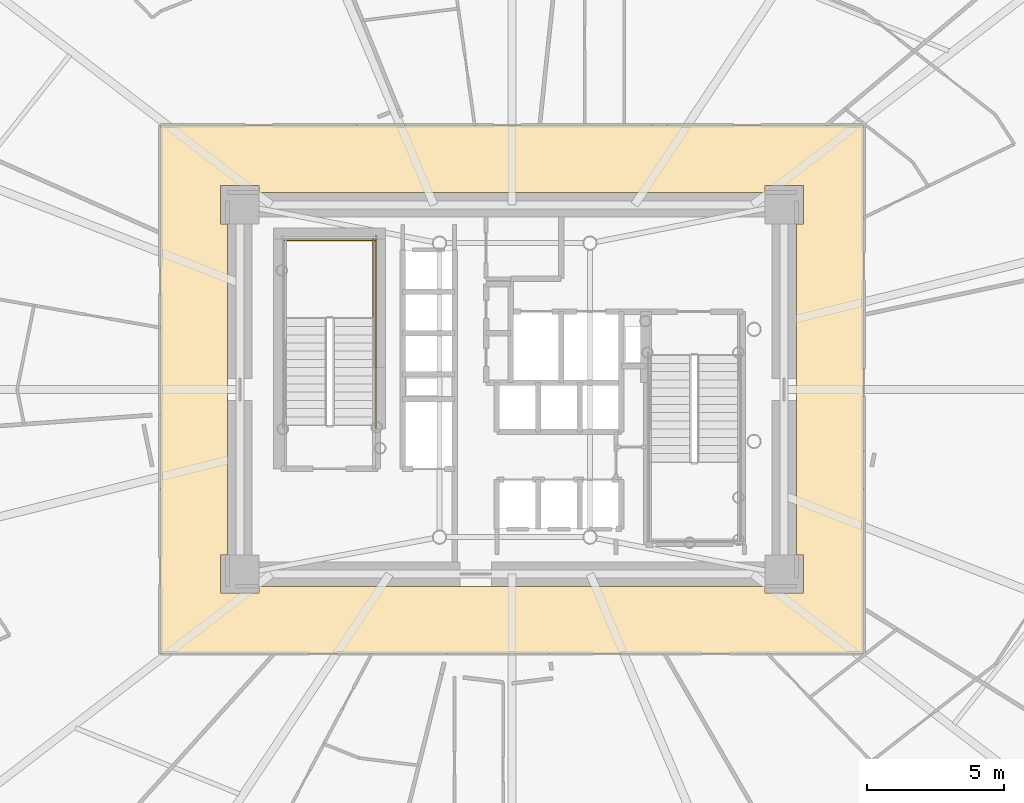
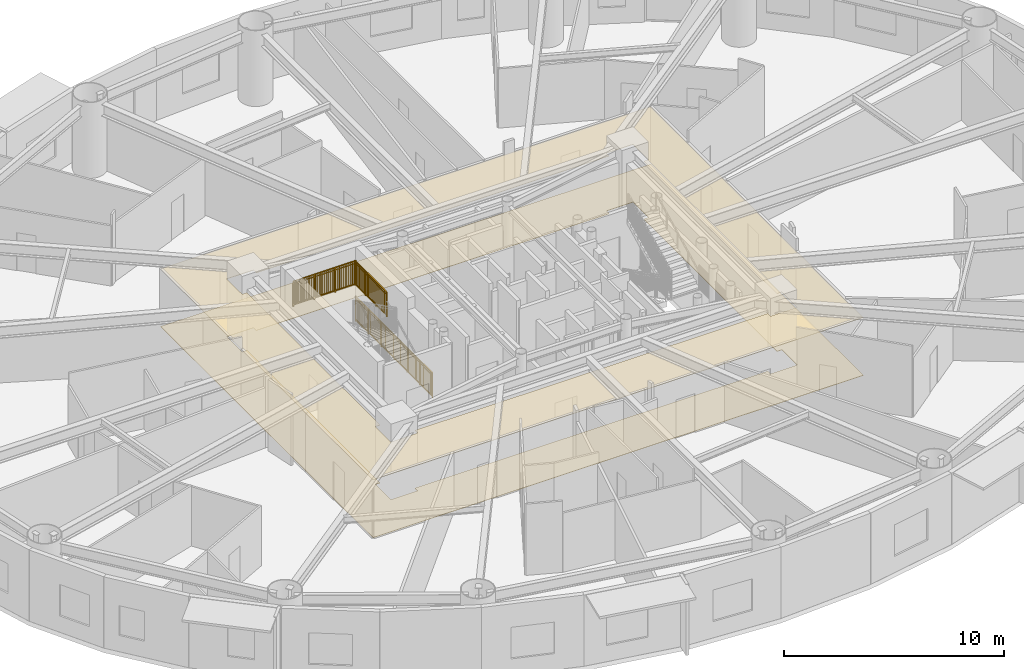
# One storey, part 16 of 20: 3 railings, 2 coverings.
"""IFC4 building model written with IfcOpenShell, lengths in metres."""

from ifc_helpers import new_model, si_unit, direction, frame, origin, origin_2d, place, context, subcontext, project, spatial, polyline, rectangle, outline, extrude, source, transform, mapped, material, layer, layer_set, type_object, element, save


model = new_model("IFC4")

# Units and contexts
model_context = context("Model", 3, precision=1e-05, world=origin(), true_north=direction((0.0, 1.0)))
body_context = subcontext(model_context, "Body", "Model", "MODEL_VIEW")
ifc_project = project(units=[si_unit("LENGTHUNIT", "METRE"), si_unit("AREAUNIT", "SQUARE_METRE"), si_unit("VOLUMEUNIT", "CUBIC_METRE"), si_unit("PLANEANGLEUNIT", "RADIAN"), si_unit("MASSUNIT", "GRAM", prefix="KILO")], contexts=[model_context])

# Site, building, storey
site_placement = place(None, origin())
site = spatial("IfcSite", under=ifc_project, at=site_placement, CompositionType="ELEMENT")
building_placement = place(site_placement, origin())
building = spatial("IfcBuilding", under=site, at=building_placement, Name="Linh Dai School and Residence Tower", CompositionType="ELEMENT")
storey_placement = place(building_placement, frame((0.0, 0.0, 66.0)))
storey = spatial("IfcBuildingStorey", under=building, at=storey_placement, Name="L15", CompositionType="ELEMENT", Elevation=66.0)

# Coverings
ifc_material_1 = material(Name="Mineral Fibre Acoustic Suspended Ceiling", Category="masonry")
ifc_layer_1 = layer(ifc_material_1, 0.02001953125)
ifc_layer_set_1 = layer_set([ifc_layer_1], Name="Mineral Fibre Acoustic Suspended Ceiling")
covering_type_1 = type_object("IfcCoveringType", Name="COV-CEIL-AC-20", PredefinedType="CEILING", material=ifc_layer_set_1)
covering_1_placement = place(storey_placement, frame((0.0, 0.0, 3.199951171875)))
element("IfcCovering", 1, at=covering_1_placement, inside=storey, type_object=covering_type_1, Name="L15 Residential Floor Corridor Suspended Ceiling", PredefinedType="CEILING", context=body_context, shape_type="SweptSolid", body=[
    extrude(outline(polyline([(48.85009765625, 36.64990234375), (48.85009765625, 17.35009765625), (23.14990234375, 17.35009765625), (23.14990234375, 36.64990234375), (48.85009765625, 36.64990234375)]), holes=[polyline([(26.75, 34.199951171875), (26.75, 34.449951171875), (25.35009765625, 34.449951171875), (25.35009765625, 33.050048828125), (25.60009765625, 33.050048828125), (25.60009765625, 20.949951171875), (25.35009765625, 20.949951171875), (25.35009765625, 19.550048828125), (26.75, 19.550048828125), (26.75, 19.800048828125), (45.25, 19.800048828125), (45.25, 19.550048828125), (46.64990234375, 19.550048828125), (46.64990234375, 20.949951171875), (46.39990234375, 20.949951171875), (46.39990234375, 33.050048828125), (46.64990234375, 33.050048828125), (46.64990234375, 34.449951171875), (45.25, 34.449951171875), (45.25, 34.199951171875), (26.75, 34.199951171875)])]), origin(), (0.0, 0.0, 1.0), 0.02001953125),
])
ifc_material_2 = material(Name="Polished Terrazzo Floor Finish", Category="masonry")
ifc_layer_2 = layer(ifc_material_2, 0.02490234375)
ifc_layer_set_2 = layer_set([ifc_layer_2], Name="Polished Terrazzo Floor Finish")
covering_type_2 = type_object("IfcCoveringType", Name="COV-FLR-TRZ-25", PredefinedType="FLOORING", material=ifc_layer_set_2)
covering_2_placement = place(storey_placement, origin())
element("IfcCovering", 2, at=covering_2_placement, inside=storey, type_object=covering_type_2, Name="L15 Residential Floor Corridor Floor Finish", PredefinedType="FLOORING", context=body_context, shape_type="SweptSolid", body=[
    extrude(outline(polyline([(48.85009765625, 36.64990234375), (48.85009765625, 17.35009765625), (23.14990234375, 17.35009765625), (23.14990234375, 36.64990234375), (48.85009765625, 36.64990234375)]), holes=[polyline([(26.75, 34.199951171875), (26.75, 34.449951171875), (25.35009765625, 34.449951171875), (25.35009765625, 33.050048828125), (25.60009765625, 33.050048828125), (25.60009765625, 20.949951171875), (25.35009765625, 20.949951171875), (25.35009765625, 19.550048828125), (26.75, 19.550048828125), (26.75, 19.800048828125), (45.25, 19.800048828125), (45.25, 19.550048828125), (46.64990234375, 19.550048828125), (46.64990234375, 20.949951171875), (46.39990234375, 20.949951171875), (46.39990234375, 33.050048828125), (46.64990234375, 33.050048828125), (46.64990234375, 34.449951171875), (45.25, 34.449951171875), (45.25, 34.199951171875), (26.75, 34.199951171875)])]), origin(), (0.0, 0.0, 1.0), 0.02001953125),
])

# Railings
ifc_material_3 = material(Name="Structural Steel S355JR", Category="steel")
railing_type = type_object("IfcRailingType", Name="RL-ST-GUARD-1400", PredefinedType="GUARDRAIL", material=ifc_material_3)
shared_shape_1 = source(origin(), body_context, "Body", "SweptSolid", [
    extrude(rectangle(XDim=0.048095703125, YDim=0.048095703125, at=origin_2d()), frame((0.0, 0.0, 1.3759765625), z_axis=(-1.0, 0.0, 0.0), x_axis=(0.0, -1.0, 0.0)), (0.0, 0.0, 1.0), 3.300048828125),
    extrude(rectangle(XDim=0.048095703125, YDim=0.048095703125, at=origin_2d()), frame((0.0, 0.0, 0.10009765625), z_axis=(-1.0, 0.0, 0.0), x_axis=(0.0, -1.0, 0.0)), (0.0, 0.0, 1.0), 3.300048828125),
    extrude(rectangle(XDim=0.030029296875, YDim=0.030029296875, at=origin_2d()), frame((0.0, 0.0, 1.239990234375), z_axis=(-1.0, 0.0, 0.0), x_axis=(0.0, -1.0, 0.0)), (0.0, 0.0, 1.0), 3.300048828125),
    extrude(rectangle(XDim=0.02001953125, YDim=0.02001953125, at=origin_2d()), frame((-0.09716796875, 0.0, 0.10009765625)), (0.0, 0.0, 1.0), 1.251708984375),
    extrude(rectangle(XDim=0.02001953125, YDim=0.02001953125, at=origin_2d()), frame((-0.194091796875, 0.0, 0.10009765625)), (0.0, 0.0, 1.0), 1.251708984375),
    extrude(rectangle(XDim=0.02001953125, YDim=0.02001953125, at=origin_2d()), frame((-0.291259765625, 0.0, 0.10009765625)), (0.0, 0.0, 1.0), 1.251708984375),
    extrude(rectangle(XDim=0.02001953125, YDim=0.02001953125, at=origin_2d()), frame((-0.38818359375, 0.0, 0.10009765625)), (0.0, 0.0, 1.0), 1.251708984375),
    extrude(rectangle(XDim=0.02001953125, YDim=0.02001953125, at=origin_2d()), frame((-0.4853515625, 0.0, 0.10009765625)), (0.0, 0.0, 1.0), 1.251708984375),
    extrude(rectangle(XDim=0.02001953125, YDim=0.02001953125, at=origin_2d()), frame((-0.582275390625, 0.0, 0.10009765625)), (0.0, 0.0, 1.0), 1.251708984375),
    extrude(rectangle(XDim=0.02001953125, YDim=0.02001953125, at=origin_2d()), frame((-0.679443359375, 0.0, 0.10009765625)), (0.0, 0.0, 1.0), 1.251708984375),
    extrude(rectangle(XDim=0.02001953125, YDim=0.02001953125, at=origin_2d()), frame((-0.7763671875, 0.0, 0.10009765625)), (0.0, 0.0, 1.0), 1.251708984375),
    extrude(rectangle(XDim=0.02001953125, YDim=0.02001953125, at=origin_2d()), frame((-0.87353515625, 0.0, 0.10009765625)), (0.0, 0.0, 1.0), 1.251708984375),
    extrude(rectangle(XDim=0.02001953125, YDim=0.02001953125, at=origin_2d()), frame((-0.970703125, 0.0, 0.10009765625)), (0.0, 0.0, 1.0), 1.251708984375),
    extrude(rectangle(XDim=0.02001953125, YDim=0.02001953125, at=origin_2d()), frame((-1.164794921875, 0.0, 0.10009765625)), (0.0, 0.0, 1.0), 1.251708984375),
    extrude(rectangle(XDim=0.02001953125, YDim=0.02001953125, at=origin_2d()), frame((-1.26171875, 0.0, 0.10009765625)), (0.0, 0.0, 1.0), 1.251708984375),
    extrude(rectangle(XDim=0.02001953125, YDim=0.02001953125, at=origin_2d()), frame((-1.35888671875, 0.0, 0.10009765625)), (0.0, 0.0, 1.0), 1.251708984375),
    extrude(rectangle(XDim=0.02001953125, YDim=0.02001953125, at=origin_2d()), frame((-1.455810546875, 0.0, 0.10009765625)), (0.0, 0.0, 1.0), 1.251708984375),
    extrude(rectangle(XDim=0.02001953125, YDim=0.02001953125, at=origin_2d()), frame((-1.552978515625, 0.0, 0.10009765625)), (0.0, 0.0, 1.0), 1.251708984375),
    extrude(rectangle(XDim=0.02001953125, YDim=0.02001953125, at=origin_2d()), frame((-1.64990234375, 0.0, 0.10009765625)), (0.0, 0.0, 1.0), 1.251708984375),
    extrude(rectangle(XDim=0.02001953125, YDim=0.02001953125, at=origin_2d()), frame((-1.7470703125, 0.0, 0.10009765625)), (0.0, 0.0, 1.0), 1.251708984375),
    extrude(rectangle(XDim=0.02001953125, YDim=0.02001953125, at=origin_2d()), frame((-1.84423828125, 0.0, 0.10009765625)), (0.0, 0.0, 1.0), 1.251708984375),
    extrude(rectangle(XDim=0.02001953125, YDim=0.02001953125, at=origin_2d()), frame((-1.941162109375, 0.0, 0.10009765625)), (0.0, 0.0, 1.0), 1.251708984375),
    extrude(rectangle(XDim=0.02001953125, YDim=0.02001953125, at=origin_2d()), frame((-2.038330078125, 0.0, 0.10009765625)), (0.0, 0.0, 1.0), 1.251708984375),
    extrude(rectangle(XDim=0.02001953125, YDim=0.02001953125, at=origin_2d()), frame((-2.13525390625, 0.0, 0.10009765625)), (0.0, 0.0, 1.0), 1.251708984375),
    extrude(rectangle(XDim=0.02001953125, YDim=0.02001953125, at=origin_2d()), frame((-2.329345703125, 0.0, 0.10009765625)), (0.0, 0.0, 1.0), 1.251708984375),
    extrude(rectangle(XDim=0.02001953125, YDim=0.02001953125, at=origin_2d()), frame((-2.426513671875, 0.0, 0.10009765625)), (0.0, 0.0, 1.0), 1.251708984375),
    extrude(rectangle(XDim=0.02001953125, YDim=0.02001953125, at=origin_2d()), frame((-2.523681640625, 0.0, 0.10009765625)), (0.0, 0.0, 1.0), 1.251708984375),
    extrude(rectangle(XDim=0.02001953125, YDim=0.02001953125, at=origin_2d()), frame((-2.62060546875, 0.0, 0.10009765625)), (0.0, 0.0, 1.0), 1.251708984375),
    extrude(rectangle(XDim=0.02001953125, YDim=0.02001953125, at=origin_2d()), frame((-2.7177734375, 0.0, 0.10009765625)), (0.0, 0.0, 1.0), 1.251708984375),
    extrude(rectangle(XDim=0.02001953125, YDim=0.02001953125, at=origin_2d()), frame((-2.814697265625, 0.0, 0.10009765625)), (0.0, 0.0, 1.0), 1.251708984375),
    extrude(rectangle(XDim=0.02001953125, YDim=0.02001953125, at=origin_2d()), frame((-2.911865234375, 0.0, 0.10009765625)), (0.0, 0.0, 1.0), 1.251708984375),
    extrude(rectangle(XDim=0.02001953125, YDim=0.02001953125, at=origin_2d()), frame((-3.0087890625, 0.0, 0.10009765625)), (0.0, 0.0, 1.0), 1.251708984375),
    extrude(rectangle(XDim=0.02001953125, YDim=0.02001953125, at=origin_2d()), frame((-3.10595703125, 0.0, 0.10009765625)), (0.0, 0.0, 1.0), 1.251708984375),
    extrude(rectangle(XDim=0.02001953125, YDim=0.02001953125, at=origin_2d()), frame((-3.202880859375, 0.0, 0.10009765625)), (0.0, 0.0, 1.0), 1.251708984375),
    extrude(rectangle(XDim=0.0419921875, YDim=0.0419921875, at=origin_2d()), origin(), (0.0, 0.0, 1.0), 1.3759765625),
    extrude(rectangle(XDim=0.0419921875, YDim=0.0419921875, at=origin_2d()), frame((-1.10009765625, 0.0, 0.0)), (0.0, 0.0, 1.0), 1.3759765625),
    extrude(rectangle(XDim=0.0419921875, YDim=0.0419921875, at=origin_2d()), frame((-2.199951171875, 0.0, 0.0)), (0.0, 0.0, 1.0), 1.3759765625),
    extrude(rectangle(XDim=0.0419921875, YDim=0.0419921875, at=origin_2d()), frame((-3.300048828125, 0.0, 0.0)), (0.0, 0.0, 1.0), 1.3759765625),
])
railing_1_placement = place(storey_placement, frame((30.97998046875, 32.449951171875, 2.10009765625)))
element("IfcRailing", 3, at=railing_1_placement, inside=storey, type_object=railing_type, Name="L15 ST1 stair guard 5", PredefinedType="GUARDRAIL", context=body_context, shape_type="MappedRepresentation", body=[
    mapped(shared_shape_1, transform((0.0, 0.0, 0.0), x_axis=(1.0, 0.0, 0.0), y_axis=(0.0, 1.0, 0.0), z_axis=(0.0, 0.0, 1.0), scale=1.0)),
])
shared_shape_2 = source(origin(), body_context, "Body", "SweptSolid", [
    extrude(rectangle(XDim=0.048095703125, YDim=0.048095703125, at=origin_2d()), frame((0.0, 0.0, 1.3759765625), z_axis=(0.0, 1.0, 0.0), x_axis=(-1.0, 0.0, 0.0)), (0.0, 0.0, 1.0), 7.0),
    extrude(rectangle(XDim=0.048095703125, YDim=0.048095703125, at=origin_2d()), frame((0.0, 0.0, 0.10009765625), z_axis=(0.0, 1.0, 0.0), x_axis=(-1.0, 0.0, 0.0)), (0.0, 0.0, 1.0), 7.0),
    extrude(rectangle(XDim=0.030029296875, YDim=0.030029296875, at=origin_2d()), frame((0.0, 0.0, 1.239990234375), z_axis=(0.0, 1.0, 0.0), x_axis=(-1.0, 0.0, 0.0)), (0.0, 0.0, 1.0), 7.0),
    extrude(rectangle(XDim=0.02001953125, YDim=0.02001953125, at=origin_2d()), frame((0.0, 0.09716796875, 0.10009765625)), (0.0, 0.0, 1.0), 1.251708984375),
    extrude(rectangle(XDim=0.02001953125, YDim=0.02001953125, at=origin_2d()), frame((0.0, 0.1943359375, 0.10009765625)), (0.0, 0.0, 1.0), 1.251708984375),
    extrude(rectangle(XDim=0.02001953125, YDim=0.02001953125, at=origin_2d()), frame((0.0, 0.291748046875, 0.10009765625)), (0.0, 0.0, 1.0), 1.251708984375),
    extrude(rectangle(XDim=0.02001953125, YDim=0.02001953125, at=origin_2d()), frame((0.0, 0.388916015625, 0.10009765625)), (0.0, 0.0, 1.0), 1.251708984375),
    extrude(rectangle(XDim=0.02001953125, YDim=0.02001953125, at=origin_2d()), frame((0.0, 0.486083984375, 0.10009765625)), (0.0, 0.0, 1.0), 1.251708984375),
    extrude(rectangle(XDim=0.02001953125, YDim=0.02001953125, at=origin_2d()), frame((0.0, 0.583251953125, 0.10009765625)), (0.0, 0.0, 1.0), 1.251708984375),
    extrude(rectangle(XDim=0.02001953125, YDim=0.02001953125, at=origin_2d()), frame((0.0, 0.6806640625, 0.10009765625)), (0.0, 0.0, 1.0), 1.251708984375),
    extrude(rectangle(XDim=0.02001953125, YDim=0.02001953125, at=origin_2d()), frame((0.0, 0.77783203125, 0.10009765625)), (0.0, 0.0, 1.0), 1.251708984375),
    extrude(rectangle(XDim=0.02001953125, YDim=0.02001953125, at=origin_2d()), frame((0.0, 0.875, 0.10009765625)), (0.0, 0.0, 1.0), 1.251708984375),
    extrude(rectangle(XDim=0.02001953125, YDim=0.02001953125, at=origin_2d()), frame((0.0, 0.97216796875, 0.10009765625)), (0.0, 0.0, 1.0), 1.251708984375),
    extrude(rectangle(XDim=0.02001953125, YDim=0.02001953125, at=origin_2d()), frame((0.0, 1.0693359375, 0.10009765625)), (0.0, 0.0, 1.0), 1.251708984375),
    extrude(rectangle(XDim=0.02001953125, YDim=0.02001953125, at=origin_2d()), frame((0.0, 1.263916015625, 0.10009765625)), (0.0, 0.0, 1.0), 1.251708984375),
    extrude(rectangle(XDim=0.02001953125, YDim=0.02001953125, at=origin_2d()), frame((0.0, 1.361083984375, 0.10009765625)), (0.0, 0.0, 1.0), 1.251708984375),
    extrude(rectangle(XDim=0.02001953125, YDim=0.02001953125, at=origin_2d()), frame((0.0, 1.458251953125, 0.10009765625)), (0.0, 0.0, 1.0), 1.251708984375),
    extrude(rectangle(XDim=0.02001953125, YDim=0.02001953125, at=origin_2d()), frame((0.0, 1.5556640625, 0.10009765625)), (0.0, 0.0, 1.0), 1.251708984375),
    extrude(rectangle(XDim=0.02001953125, YDim=0.02001953125, at=origin_2d()), frame((0.0, 1.65283203125, 0.10009765625)), (0.0, 0.0, 1.0), 1.251708984375),
    extrude(rectangle(XDim=0.02001953125, YDim=0.02001953125, at=origin_2d()), frame((0.0, 1.75, 0.10009765625)), (0.0, 0.0, 1.0), 1.251708984375),
    extrude(rectangle(XDim=0.02001953125, YDim=0.02001953125, at=origin_2d()), frame((0.0, 1.84716796875, 0.10009765625)), (0.0, 0.0, 1.0), 1.251708984375),
    extrude(rectangle(XDim=0.02001953125, YDim=0.02001953125, at=origin_2d()), frame((0.0, 1.9443359375, 0.10009765625)), (0.0, 0.0, 1.0), 1.251708984375),
    extrude(rectangle(XDim=0.02001953125, YDim=0.02001953125, at=origin_2d()), frame((0.0, 2.041748046875, 0.10009765625)), (0.0, 0.0, 1.0), 1.251708984375),
    extrude(rectangle(XDim=0.02001953125, YDim=0.02001953125, at=origin_2d()), frame((0.0, 2.138916015625, 0.10009765625)), (0.0, 0.0, 1.0), 1.251708984375),
    extrude(rectangle(XDim=0.02001953125, YDim=0.02001953125, at=origin_2d()), frame((0.0, 2.236083984375, 0.10009765625)), (0.0, 0.0, 1.0), 1.251708984375),
    extrude(rectangle(XDim=0.02001953125, YDim=0.02001953125, at=origin_2d()), frame((0.0, 2.4306640625, 0.10009765625)), (0.0, 0.0, 1.0), 1.251708984375),
    extrude(rectangle(XDim=0.02001953125, YDim=0.02001953125, at=origin_2d()), frame((0.0, 2.52783203125, 0.10009765625)), (0.0, 0.0, 1.0), 1.251708984375),
    extrude(rectangle(XDim=0.02001953125, YDim=0.02001953125, at=origin_2d()), frame((0.0, 2.625, 0.10009765625)), (0.0, 0.0, 1.0), 1.251708984375),
    extrude(rectangle(XDim=0.02001953125, YDim=0.02001953125, at=origin_2d()), frame((0.0, 2.72216796875, 0.10009765625)), (0.0, 0.0, 1.0), 1.251708984375),
    extrude(rectangle(XDim=0.02001953125, YDim=0.02001953125, at=origin_2d()), frame((0.0, 2.8193359375, 0.10009765625)), (0.0, 0.0, 1.0), 1.251708984375),
    extrude(rectangle(XDim=0.02001953125, YDim=0.02001953125, at=origin_2d()), frame((0.0, 2.916748046875, 0.10009765625)), (0.0, 0.0, 1.0), 1.251708984375),
    extrude(rectangle(XDim=0.02001953125, YDim=0.02001953125, at=origin_2d()), frame((0.0, 3.013916015625, 0.10009765625)), (0.0, 0.0, 1.0), 1.251708984375),
    extrude(rectangle(XDim=0.02001953125, YDim=0.02001953125, at=origin_2d()), frame((0.0, 3.111083984375, 0.10009765625)), (0.0, 0.0, 1.0), 1.251708984375),
    extrude(rectangle(XDim=0.02001953125, YDim=0.02001953125, at=origin_2d()), frame((0.0, 3.208251953125, 0.10009765625)), (0.0, 0.0, 1.0), 1.251708984375),
    extrude(rectangle(XDim=0.02001953125, YDim=0.02001953125, at=origin_2d()), frame((0.0, 3.3056640625, 0.10009765625)), (0.0, 0.0, 1.0), 1.251708984375),
    extrude(rectangle(XDim=0.02001953125, YDim=0.02001953125, at=origin_2d()), frame((0.0, 3.40283203125, 0.10009765625)), (0.0, 0.0, 1.0), 1.251708984375),
    extrude(rectangle(XDim=0.02001953125, YDim=0.02001953125, at=origin_2d()), frame((0.0, 3.59716796875, 0.10009765625)), (0.0, 0.0, 1.0), 1.251708984375),
    extrude(rectangle(XDim=0.02001953125, YDim=0.02001953125, at=origin_2d()), frame((0.0, 3.6943359375, 0.10009765625)), (0.0, 0.0, 1.0), 1.251708984375),
    extrude(rectangle(XDim=0.02001953125, YDim=0.02001953125, at=origin_2d()), frame((0.0, 3.791748046875, 0.10009765625)), (0.0, 0.0, 1.0), 1.251708984375),
    extrude(rectangle(XDim=0.02001953125, YDim=0.02001953125, at=origin_2d()), frame((0.0, 3.888916015625, 0.10009765625)), (0.0, 0.0, 1.0), 1.251708984375),
    extrude(rectangle(XDim=0.02001953125, YDim=0.02001953125, at=origin_2d()), frame((0.0, 3.986083984375, 0.10009765625)), (0.0, 0.0, 1.0), 1.251708984375),
    extrude(rectangle(XDim=0.02001953125, YDim=0.02001953125, at=origin_2d()), frame((0.0, 4.083251953125, 0.10009765625)), (0.0, 0.0, 1.0), 1.251708984375),
    extrude(rectangle(XDim=0.02001953125, YDim=0.02001953125, at=origin_2d()), frame((0.0, 4.1806640625, 0.10009765625)), (0.0, 0.0, 1.0), 1.251708984375),
    extrude(rectangle(XDim=0.02001953125, YDim=0.02001953125, at=origin_2d()), frame((0.0, 4.27783203125, 0.10009765625)), (0.0, 0.0, 1.0), 1.251708984375),
    extrude(rectangle(XDim=0.02001953125, YDim=0.02001953125, at=origin_2d()), frame((0.0, 4.375, 0.10009765625)), (0.0, 0.0, 1.0), 1.251708984375),
    extrude(rectangle(XDim=0.02001953125, YDim=0.02001953125, at=origin_2d()), frame((0.0, 4.47216796875, 0.10009765625)), (0.0, 0.0, 1.0), 1.251708984375),
    extrude(rectangle(XDim=0.02001953125, YDim=0.02001953125, at=origin_2d()), frame((0.0, 4.5693359375, 0.10009765625)), (0.0, 0.0, 1.0), 1.251708984375),
    extrude(rectangle(XDim=0.02001953125, YDim=0.02001953125, at=origin_2d()), frame((0.0, 4.763916015625, 0.10009765625)), (0.0, 0.0, 1.0), 1.251708984375),
    extrude(rectangle(XDim=0.02001953125, YDim=0.02001953125, at=origin_2d()), frame((0.0, 4.861083984375, 0.10009765625)), (0.0, 0.0, 1.0), 1.251708984375),
    extrude(rectangle(XDim=0.02001953125, YDim=0.02001953125, at=origin_2d()), frame((0.0, 4.958251953125, 0.10009765625)), (0.0, 0.0, 1.0), 1.251708984375),
    extrude(rectangle(XDim=0.02001953125, YDim=0.02001953125, at=origin_2d()), frame((0.0, 5.0556640625, 0.10009765625)), (0.0, 0.0, 1.0), 1.251708984375),
    extrude(rectangle(XDim=0.02001953125, YDim=0.02001953125, at=origin_2d()), frame((0.0, 5.15283203125, 0.10009765625)), (0.0, 0.0, 1.0), 1.251708984375),
    extrude(rectangle(XDim=0.02001953125, YDim=0.02001953125, at=origin_2d()), frame((0.0, 5.25, 0.10009765625)), (0.0, 0.0, 1.0), 1.251708984375),
    extrude(rectangle(XDim=0.02001953125, YDim=0.02001953125, at=origin_2d()), frame((0.0, 5.34716796875, 0.10009765625)), (0.0, 0.0, 1.0), 1.251708984375),
    extrude(rectangle(XDim=0.02001953125, YDim=0.02001953125, at=origin_2d()), frame((0.0, 5.4443359375, 0.10009765625)), (0.0, 0.0, 1.0), 1.251708984375),
    extrude(rectangle(XDim=0.02001953125, YDim=0.02001953125, at=origin_2d()), frame((0.0, 5.541748046875, 0.10009765625)), (0.0, 0.0, 1.0), 1.251708984375),
    extrude(rectangle(XDim=0.02001953125, YDim=0.02001953125, at=origin_2d()), frame((0.0, 5.638916015625, 0.10009765625)), (0.0, 0.0, 1.0), 1.251708984375),
    extrude(rectangle(XDim=0.02001953125, YDim=0.02001953125, at=origin_2d()), frame((0.0, 5.736083984375, 0.10009765625)), (0.0, 0.0, 1.0), 1.251708984375),
    extrude(rectangle(XDim=0.02001953125, YDim=0.02001953125, at=origin_2d()), frame((0.0, 5.9306640625, 0.10009765625)), (0.0, 0.0, 1.0), 1.251708984375),
    extrude(rectangle(XDim=0.02001953125, YDim=0.02001953125, at=origin_2d()), frame((0.0, 6.02783203125, 0.10009765625)), (0.0, 0.0, 1.0), 1.251708984375),
    extrude(rectangle(XDim=0.02001953125, YDim=0.02001953125, at=origin_2d()), frame((0.0, 6.125, 0.10009765625)), (0.0, 0.0, 1.0), 1.251708984375),
    extrude(rectangle(XDim=0.02001953125, YDim=0.02001953125, at=origin_2d()), frame((0.0, 6.22216796875, 0.10009765625)), (0.0, 0.0, 1.0), 1.251708984375),
    extrude(rectangle(XDim=0.02001953125, YDim=0.02001953125, at=origin_2d()), frame((0.0, 6.3193359375, 0.10009765625)), (0.0, 0.0, 1.0), 1.251708984375),
    extrude(rectangle(XDim=0.02001953125, YDim=0.02001953125, at=origin_2d()), frame((0.0, 6.416748046875, 0.10009765625)), (0.0, 0.0, 1.0), 1.251708984375),
    extrude(rectangle(XDim=0.02001953125, YDim=0.02001953125, at=origin_2d()), frame((0.0, 6.513916015625, 0.10009765625)), (0.0, 0.0, 1.0), 1.251708984375),
    extrude(rectangle(XDim=0.02001953125, YDim=0.02001953125, at=origin_2d()), frame((0.0, 6.611083984375, 0.10009765625)), (0.0, 0.0, 1.0), 1.251708984375),
    extrude(rectangle(XDim=0.02001953125, YDim=0.02001953125, at=origin_2d()), frame((0.0, 6.708251953125, 0.10009765625)), (0.0, 0.0, 1.0), 1.251708984375),
    extrude(rectangle(XDim=0.02001953125, YDim=0.02001953125, at=origin_2d()), frame((0.0, 6.8056640625, 0.10009765625)), (0.0, 0.0, 1.0), 1.251708984375),
    extrude(rectangle(XDim=0.02001953125, YDim=0.02001953125, at=origin_2d()), frame((0.0, 6.90283203125, 0.10009765625)), (0.0, 0.0, 1.0), 1.251708984375),
    extrude(rectangle(XDim=0.0419921875, YDim=0.0419921875, at=origin_2d()), origin(), (0.0, 0.0, 1.0), 1.3759765625),
    extrude(rectangle(XDim=0.0419921875, YDim=0.0419921875, at=origin_2d()), frame((0.0, 1.166748046875, 0.0)), (0.0, 0.0, 1.0), 1.3759765625),
    extrude(rectangle(XDim=0.0419921875, YDim=0.0419921875, at=origin_2d()), frame((0.0, 2.333251953125, 0.0)), (0.0, 0.0, 1.0), 1.3759765625),
    extrude(rectangle(XDim=0.0419921875, YDim=0.0419921875, at=origin_2d()), frame((0.0, 3.5, 0.0)), (0.0, 0.0, 1.0), 1.3759765625),
    extrude(rectangle(XDim=0.0419921875, YDim=0.0419921875, at=origin_2d()), frame((0.0, 4.666748046875, 0.0)), (0.0, 0.0, 1.0), 1.3759765625),
    extrude(rectangle(XDim=0.0419921875, YDim=0.0419921875, at=origin_2d()), frame((0.0, 5.833251953125, 0.0)), (0.0, 0.0, 1.0), 1.3759765625),
    extrude(rectangle(XDim=0.0419921875, YDim=0.0419921875, at=origin_2d()), frame((0.0, 7.0, 0.0)), (0.0, 0.0, 1.0), 1.3759765625),
])
railing_2_placement = place(storey_placement, frame((31.030029296875, 25.60009765625, 0.0)))
element("IfcRailing", 4, at=railing_2_placement, inside=storey, type_object=railing_type, Name="L15 ST1 stair guard 10", PredefinedType="GUARDRAIL", context=body_context, shape_type="MappedRepresentation", body=[
    mapped(shared_shape_2, transform((0.0, 0.0, 0.0), x_axis=(1.0, 0.0, 0.0), y_axis=(0.0, 1.0, 0.0), z_axis=(0.0, 0.0, 1.0), scale=1.0)),
])
shared_shape_3 = source(origin(), body_context, "Body", "SweptSolid", [
    extrude(rectangle(XDim=0.048095703125, YDim=0.048095703125, at=origin_2d()), frame((0.0, 0.0, 1.3759765625), z_axis=(0.0, 1.0, 0.0), x_axis=(-1.0, 0.0, 0.0)), (0.0, 0.0, 1.0), 2.89990234375),
    extrude(rectangle(XDim=0.048095703125, YDim=0.048095703125, at=origin_2d()), frame((0.0, 0.0, 0.10009765625), z_axis=(0.0, 1.0, 0.0), x_axis=(-1.0, 0.0, 0.0)), (0.0, 0.0, 1.0), 2.89990234375),
    extrude(rectangle(XDim=0.030029296875, YDim=0.030029296875, at=origin_2d()), frame((0.0, 0.0, 1.239990234375), z_axis=(0.0, 1.0, 0.0), x_axis=(-1.0, 0.0, 0.0)), (0.0, 0.0, 1.0), 2.89990234375),
    extrude(rectangle(XDim=0.02001953125, YDim=0.02001953125, at=origin_2d()), frame((0.0, 0.0966796875, 0.10009765625)), (0.0, 0.0, 1.0), 1.251708984375),
    extrude(rectangle(XDim=0.02001953125, YDim=0.02001953125, at=origin_2d()), frame((0.0, 0.193359375, 0.10009765625)), (0.0, 0.0, 1.0), 1.251708984375),
    extrude(rectangle(XDim=0.02001953125, YDim=0.02001953125, at=origin_2d()), frame((0.0, 0.2900390625, 0.10009765625)), (0.0, 0.0, 1.0), 1.251708984375),
    extrude(rectangle(XDim=0.02001953125, YDim=0.02001953125, at=origin_2d()), frame((0.0, 0.38671875, 0.10009765625)), (0.0, 0.0, 1.0), 1.251708984375),
    extrude(rectangle(XDim=0.02001953125, YDim=0.02001953125, at=origin_2d()), frame((0.0, 0.4833984375, 0.10009765625)), (0.0, 0.0, 1.0), 1.251708984375),
    extrude(rectangle(XDim=0.02001953125, YDim=0.02001953125, at=origin_2d()), frame((0.0, 0.580078125, 0.10009765625)), (0.0, 0.0, 1.0), 1.251708984375),
    extrude(rectangle(XDim=0.02001953125, YDim=0.02001953125, at=origin_2d()), frame((0.0, 0.6767578125, 0.10009765625)), (0.0, 0.0, 1.0), 1.251708984375),
    extrude(rectangle(XDim=0.02001953125, YDim=0.02001953125, at=origin_2d()), frame((0.0, 0.773193359375, 0.10009765625)), (0.0, 0.0, 1.0), 1.251708984375),
    extrude(rectangle(XDim=0.02001953125, YDim=0.02001953125, at=origin_2d()), frame((0.0, 0.869873046875, 0.10009765625)), (0.0, 0.0, 1.0), 1.251708984375),
    extrude(rectangle(XDim=0.02001953125, YDim=0.02001953125, at=origin_2d()), frame((0.0, 1.063232421875, 0.10009765625)), (0.0, 0.0, 1.0), 1.251708984375),
    extrude(rectangle(XDim=0.02001953125, YDim=0.02001953125, at=origin_2d()), frame((0.0, 1.159912109375, 0.10009765625)), (0.0, 0.0, 1.0), 1.251708984375),
    extrude(rectangle(XDim=0.02001953125, YDim=0.02001953125, at=origin_2d()), frame((0.0, 1.256591796875, 0.10009765625)), (0.0, 0.0, 1.0), 1.251708984375),
    extrude(rectangle(XDim=0.02001953125, YDim=0.02001953125, at=origin_2d()), frame((0.0, 1.353271484375, 0.10009765625)), (0.0, 0.0, 1.0), 1.251708984375),
    extrude(rectangle(XDim=0.02001953125, YDim=0.02001953125, at=origin_2d()), frame((0.0, 1.449951171875, 0.10009765625)), (0.0, 0.0, 1.0), 1.251708984375),
    extrude(rectangle(XDim=0.02001953125, YDim=0.02001953125, at=origin_2d()), frame((0.0, 1.546630859375, 0.10009765625)), (0.0, 0.0, 1.0), 1.251708984375),
    extrude(rectangle(XDim=0.02001953125, YDim=0.02001953125, at=origin_2d()), frame((0.0, 1.643310546875, 0.10009765625)), (0.0, 0.0, 1.0), 1.251708984375),
    extrude(rectangle(XDim=0.02001953125, YDim=0.02001953125, at=origin_2d()), frame((0.0, 1.739990234375, 0.10009765625)), (0.0, 0.0, 1.0), 1.251708984375),
    extrude(rectangle(XDim=0.02001953125, YDim=0.02001953125, at=origin_2d()), frame((0.0, 1.836669921875, 0.10009765625)), (0.0, 0.0, 1.0), 1.251708984375),
    extrude(rectangle(XDim=0.02001953125, YDim=0.02001953125, at=origin_2d()), frame((0.0, 2.030029296875, 0.10009765625)), (0.0, 0.0, 1.0), 1.251708984375),
    extrude(rectangle(XDim=0.02001953125, YDim=0.02001953125, at=origin_2d()), frame((0.0, 2.126708984375, 0.10009765625)), (0.0, 0.0, 1.0), 1.251708984375),
    extrude(rectangle(XDim=0.02001953125, YDim=0.02001953125, at=origin_2d()), frame((0.0, 2.22314453125, 0.10009765625)), (0.0, 0.0, 1.0), 1.251708984375),
    extrude(rectangle(XDim=0.02001953125, YDim=0.02001953125, at=origin_2d()), frame((0.0, 2.31982421875, 0.10009765625)), (0.0, 0.0, 1.0), 1.251708984375),
    extrude(rectangle(XDim=0.02001953125, YDim=0.02001953125, at=origin_2d()), frame((0.0, 2.41650390625, 0.10009765625)), (0.0, 0.0, 1.0), 1.251708984375),
    extrude(rectangle(XDim=0.02001953125, YDim=0.02001953125, at=origin_2d()), frame((0.0, 2.51318359375, 0.10009765625)), (0.0, 0.0, 1.0), 1.251708984375),
    extrude(rectangle(XDim=0.02001953125, YDim=0.02001953125, at=origin_2d()), frame((0.0, 2.60986328125, 0.10009765625)), (0.0, 0.0, 1.0), 1.251708984375),
    extrude(rectangle(XDim=0.02001953125, YDim=0.02001953125, at=origin_2d()), frame((0.0, 2.70654296875, 0.10009765625)), (0.0, 0.0, 1.0), 1.251708984375),
    extrude(rectangle(XDim=0.02001953125, YDim=0.02001953125, at=origin_2d()), frame((0.0, 2.80322265625, 0.10009765625)), (0.0, 0.0, 1.0), 1.251708984375),
    extrude(rectangle(XDim=0.0419921875, YDim=0.0419921875, at=origin_2d()), origin(), (0.0, 0.0, 1.0), 1.3759765625),
    extrude(rectangle(XDim=0.0419921875, YDim=0.0419921875, at=origin_2d()), frame((0.0, 0.966552734375, 0.0)), (0.0, 0.0, 1.0), 1.3759765625),
    extrude(rectangle(XDim=0.0419921875, YDim=0.0419921875, at=origin_2d()), frame((0.0, 1.933349609375, 0.0)), (0.0, 0.0, 1.0), 1.3759765625),
    extrude(rectangle(XDim=0.0419921875, YDim=0.0419921875, at=origin_2d()), frame((0.0, 2.89990234375, 0.0)), (0.0, 0.0, 1.0), 1.3759765625),
])
railing_3_placement = place(storey_placement, frame((30.929931640625, 29.60009765625, 2.10009765625)))
element("IfcRailing", 5, at=railing_3_placement, inside=storey, type_object=railing_type, Name="L15 ST1 stair guard 3", PredefinedType="GUARDRAIL", context=body_context, shape_type="MappedRepresentation", body=[
    mapped(shared_shape_3, transform((0.0, 0.0, 0.0), x_axis=(1.0, 0.0, 0.0), y_axis=(0.0, 1.0, 0.0), z_axis=(0.0, 0.0, 1.0), scale=1.0)),
])

save(model, "model.ifc")
